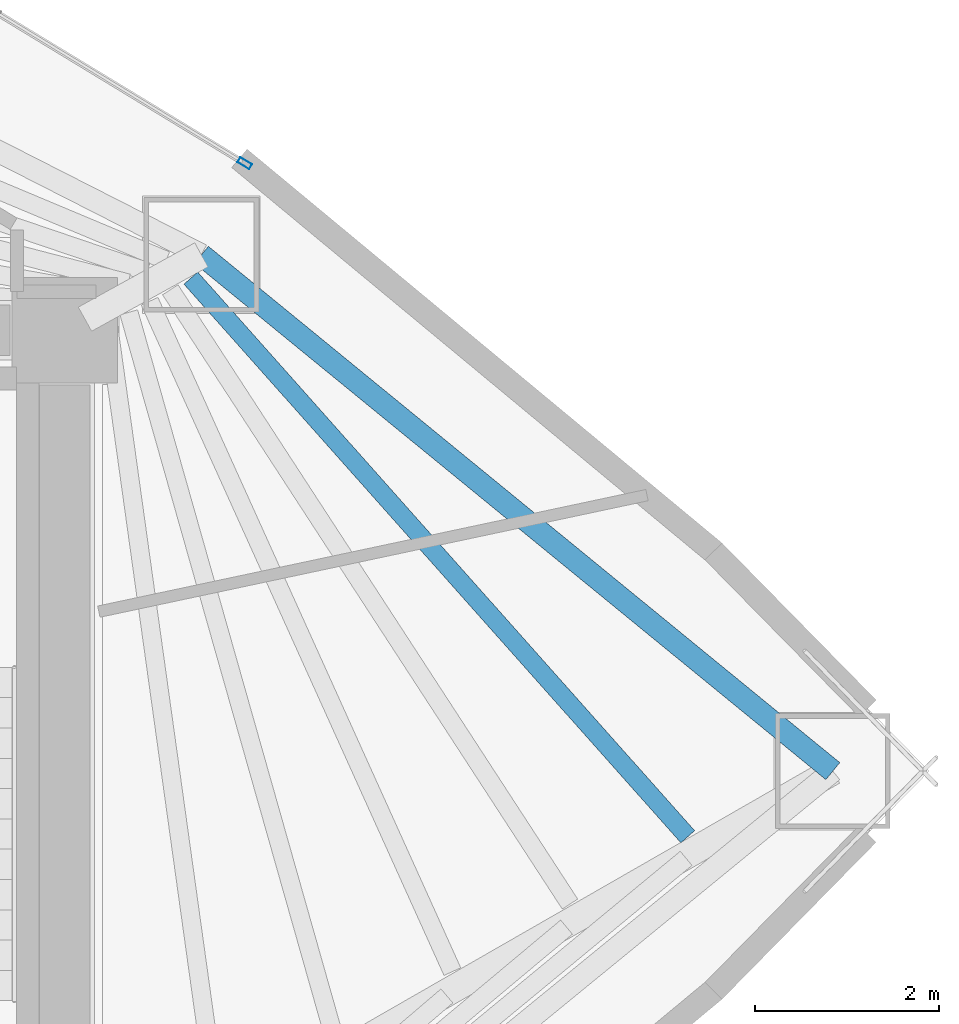
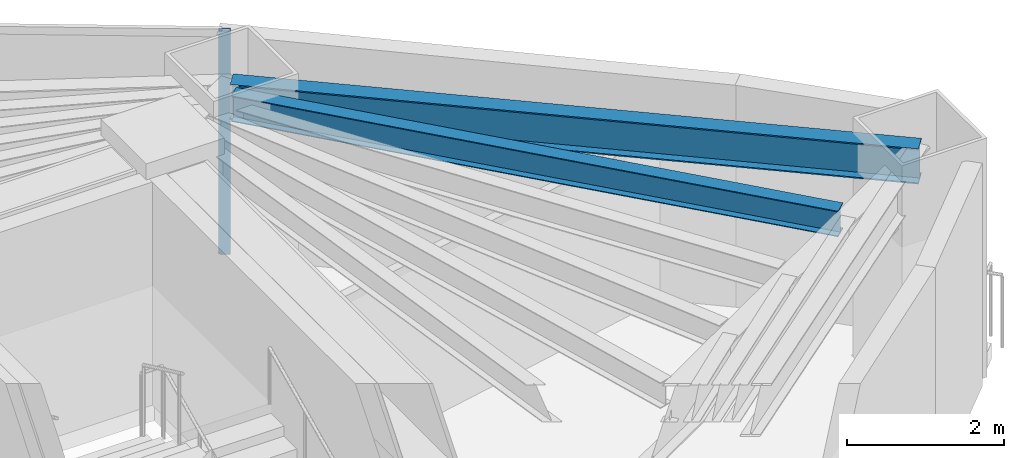
# One storey, part 12 of 19: 2 beams, 1 member, 1 element without a shape of its own.
"""IFC4 building model written with IfcOpenShell, lengths in metres."""

from ifc_helpers import new_model, si_unit, direction, frame, origin, origin_2d, place, context, subcontext, project, spatial, hollow_rectangle, i_section, extrude, material, layer, layer_set, material_profile, profile_set, type_object, element, aggregate, save


model = new_model("IFC4")

# Units and contexts
model_context = context("Model", 3, precision=1e-05, world=origin(), true_north=direction((0.0, 1.0)))
body_context = subcontext(model_context, "Body", "Model", "MODEL_VIEW")
ifc_project = project(units=[si_unit("LENGTHUNIT", "METRE"), si_unit("AREAUNIT", "SQUARE_METRE"), si_unit("VOLUMEUNIT", "CUBIC_METRE"), si_unit("PLANEANGLEUNIT", "RADIAN"), si_unit("MASSUNIT", "GRAM", prefix="KILO")], contexts=[model_context])

# Site, building, storey
site_placement = place(None, origin())
site = spatial("IfcSite", under=ifc_project, at=site_placement, CompositionType="ELEMENT")
building_placement = place(site_placement, origin())
building = spatial("IfcBuilding", under=site, at=building_placement, Name="Menara Vayukalpa", CompositionType="ELEMENT")
storey_placement = place(building_placement, frame((0.0, 0.0, 122.580078125)))
storey = spatial("IfcBuildingStorey", under=building, at=storey_placement, Name="L30", CompositionType="ELEMENT", Elevation=122.580078125)

# Beams
ifc_material_1 = material(Name="Steel S355", Category="steel")
ifc_material_profile_1 = material_profile(ifc_material_1, i_section(OverallWidth=0.199951171875, OverallDepth=0.39990234375, WebThickness=0.008056640625, FlangeThickness=0.012939453125, at=origin_2d()), Name="WF 400x200x8x13")
ifc_profile_set_1 = profile_set([ifc_material_profile_1], Name="Steel S355")
beam_type_1 = type_object("IfcBeamType", Name="BM-SJ2", PredefinedType="JOIST", material=ifc_profile_set_1)
beam_1_placement = place(storey_placement, frame((40.182861328125, 21.285400390625, 3.27001953125), z_axis=(-0.664656003625, 0.747149514384, 0.0), x_axis=(-0.747149514384, -0.664656003625, 0.0)))
element("IfcBeam", 1, at=beam_1_placement, inside=storey, type_object=beam_type_1, Name="L30 Secondary Floor Joist SJ01-5", PredefinedType="JOIST", context=body_context, shape_type="SweptSolid", body=[
    extrude(i_section(OverallWidth=0.199951171875, OverallDepth=0.39990234375, WebThickness=0.008056640625, FlangeThickness=0.012939453125, at=origin_2d()), origin(), (0.0, 0.0, 1.0), 8.1416015625),
])
ifc_material_2 = material(Name="Steel S355", Category="steel")
ifc_material_profile_2 = material_profile(ifc_material_2, i_section(OverallWidth=0.239990234375, OverallDepth=0.550048828125, WebThickness=0.010986328125, FlangeThickness=0.01904296875, at=origin_2d()), Name="WF 550x240x11x19")
ifc_profile_set_2 = profile_set([ifc_material_profile_2], Name="Steel S355")
beam_type_2 = type_object("IfcBeamType", Name="BM-SP2", PredefinedType="SPANDREL", material=ifc_profile_set_2)
beam_2_placement = place(storey_placement, frame((41.761962890625, 22.0, 3.19482421875), z_axis=(-0.774156906301, 0.632993747541, 0.0), x_axis=(-0.632993747541, -0.774156906301, 0.0)))
element("IfcBeam", 2, at=beam_2_placement, inside=storey, type_object=beam_type_2, Name="L30 Perimeter Spandrel Beam SP01", PredefinedType="SPANDREL", context=body_context, shape_type="SweptSolid", body=[
    extrude(i_section(OverallWidth=0.239990234375, OverallDepth=0.550048828125, WebThickness=0.010986328125, FlangeThickness=0.01904296875, at=origin_2d()), origin(), (0.0, 0.0, 1.0), 8.880859375),
])

# Curtain wall, member
ifc_material_3 = material(Name="Anodised Terracotta Aluminium Alloy 6063-T6", Category="masonry")
ifc_layer = layer(ifc_material_3, 0.14990234375)
ifc_layer_set = layer_set([ifc_layer], Name="Anodised Terracotta Aluminium Alloy 6063-T6")
curtain_wall_type = type_object("IfcCurtainWallType", Name="CW-CW3", PredefinedType="USERDEFINED", material=ifc_layer_set)
curtain_wall_placement = place(storey_placement, origin())
curtain_wall = element("IfcCurtainWall", 3, at=curtain_wall_placement, inside=storey, type_object=curtain_wall_type, Name="L30 Mid Rise Terracotta Ribbon Curtain Wall CW3 04", ObjectType="UNITISED", PredefinedType="USERDEFINED")
ifc_material_4 = material(Name="Anodised Terracotta Aluminium Alloy 6063-T6", Category="masonry")
ifc_material_profile_3 = material_profile(ifc_material_4, hollow_rectangle(XDim=0.06494140625, YDim=0.14990234375, WallThickness=0.00341796875, at=origin_2d()), Name="ALU 65x150x3.5")
ifc_profile_set_3 = profile_set([ifc_material_profile_3], Name="Anodised Terracotta Aluminium Alloy 6063-T6")
member_type = type_object("IfcMemberType", Name="CWM-CW3", PredefinedType="MULLION", material=ifc_profile_set_3)
member_placement = place(storey_placement, frame((35.358154296875, 28.61865234375, 0.0), z_axis=(0.0, 0.0, 1.0), x_axis=(-0.519182959112, -0.854663123674, 0.0)))
member = element("IfcMember", 4, at=member_placement, type_object=member_type, Name="CW3 mullion 1", PredefinedType="MULLION", context=body_context, shape_type="SweptSolid", body=[
    extrude(hollow_rectangle(XDim=0.06494140625, YDim=0.14990234375, WallThickness=0.00341796875, at=origin_2d()), origin(), (0.0, 0.0, 1.0), 3.469970703125),
])
aggregate(curtain_wall, [member])

save(model, "model.ifc")
